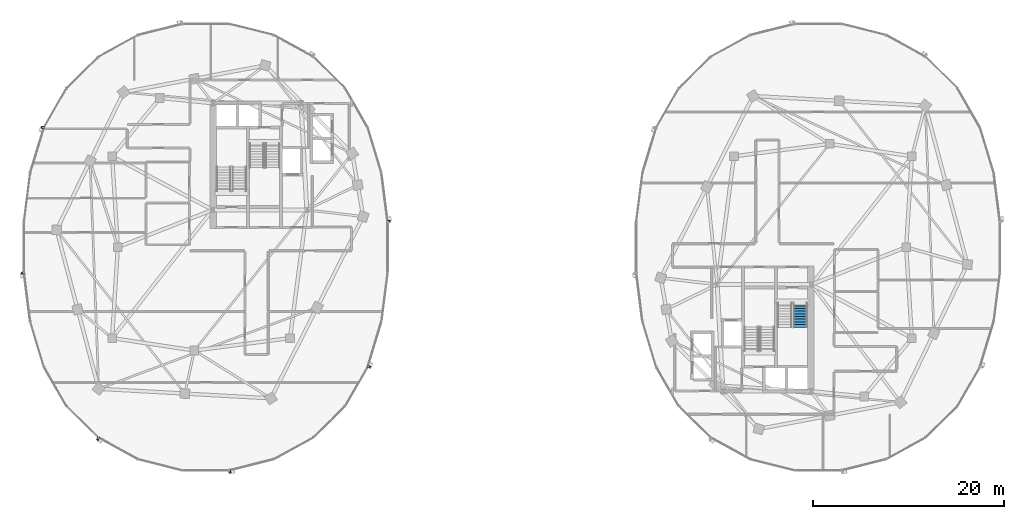
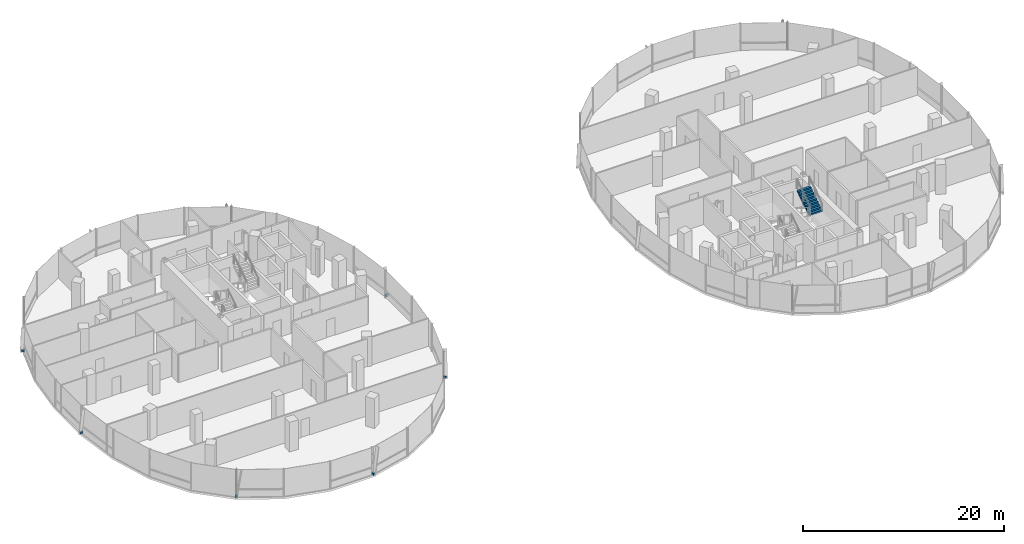
# One storey, part 16 of 23: 6 discrete accessories, 1 stair flight, 1 element without a shape of its own.
"""IFC4 building model written with IfcOpenShell, lengths in metres."""

from ifc_helpers import new_model, si_unit, direction, frame, origin, origin_2d, place, context, subcontext, project, spatial, polyline, rectangle, outline, extrude, material, type_object, element, aggregate, save


model = new_model("IFC4")

# Units and contexts
model_context = context("Model", 3, precision=1e-05, world=origin(), true_north=direction((0.0, 1.0)))
body_context = subcontext(model_context, "Body", "Model", "MODEL_VIEW")
ifc_project = project(units=[si_unit("LENGTHUNIT", "METRE"), si_unit("AREAUNIT", "SQUARE_METRE"), si_unit("VOLUMEUNIT", "CUBIC_METRE"), si_unit("PLANEANGLEUNIT", "RADIAN"), si_unit("MASSUNIT", "GRAM", prefix="KILO"), si_unit("THERMODYNAMICTEMPERATUREUNIT", "KELVIN"), si_unit("POWERUNIT", "WATT")], contexts=[model_context])

# Site, building, storey
site_placement = place(None, origin())
site = spatial("IfcSite", under=ifc_project, at=site_placement, CompositionType="ELEMENT")
building_placement = place(site_placement, origin())
building = spatial("IfcBuilding", under=site, at=building_placement, Name="Cundina Bronze Exchange", CompositionType="ELEMENT")
storey_placement = place(building_placement, frame((0.0, 0.0, 172.800048828125)))
storey = spatial("IfcBuildingStorey", under=building, at=storey_placement, Name="L45", CompositionType="ELEMENT", Elevation=172.800048828125)

# Stair, stair flight
ifc_material_1 = material(Name="Concrete C40/50", Category="concrete")
stair_type = type_object("IfcStairType", Name="STR-OFF-360", PredefinedType="HALF_TURN_STAIR", material=ifc_material_1)
stair_placement = place(storey_placement, origin())
stair = element("IfcStair", 1, at=stair_placement, inside=storey, type_object=stair_type, Name="L45 Smokeproof Exit Stair E1", PredefinedType="HALF_TURN_STAIR")
stair_flight_type = type_object("IfcStairFlightType", Name="FLG-OFF-180", PredefinedType="STRAIGHT", material=ifc_material_1)
stair_flight_placement = place(storey_placement, frame((30.14990234375, -8.3701171875, 1.800048828125), z_axis=(0.0, 0.0, 1.0), x_axis=(0.0, 1.0, 0.0)))
stair_flight = element("IfcStairFlight", 2, at=stair_flight_placement, type_object=stair_flight_type, Name="ST-E1 flight 2", NumberOfRisers=10, NumberOfTreads=9, PredefinedType="STRAIGHT", RiserHeight=0.18, TreadLength=0.28, context=body_context, shape_type="SweptSolid", body=[
    extrude(outline(polyline([(0.0, 0.0), (0.0, 0.179931640625), (0.280029296875, 0.179931640625), (0.280029296875, 0.360107421875), (0.56005859375, 0.360107421875), (0.56005859375, 0.5400390625), (0.840087890625, 0.5400390625), (0.840087890625, 0.719970703125), (1.1201171875, 0.719970703125), (1.1201171875, 0.89990234375), (1.39990234375, 0.89990234375), (1.39990234375, 1.080078125), (1.679931640625, 1.080078125), (1.679931640625, 1.260009765625), (1.9599609375, 1.260009765625), (1.9599609375, 1.43994140625), (2.239990234375, 1.43994140625), (2.239990234375, 1.6201171875), (2.52001953125, 1.6201171875), (2.52001953125, 1.800048828125), (2.52001953125, 1.44189453125), (0.277099609375, 0.0), (0.0, 0.0)])), frame((0.0, 0.75, 0.0), z_axis=(0.0, -1.0, 0.0), x_axis=(1.0, 0.0, 0.0)), (0.0, 0.0, 1.0), 1.5),
])
aggregate(stair, [stair_flight])

# Discrete accessories
ifc_material_2 = material(Name="Anodised Bronze Aluminium 6063-T6", Category="aluminium")
discrete_accessory_type = type_object("IfcDiscreteAccessoryType", Name="ACC-BRK-FIN", PredefinedType="BRACKET", material=ifc_material_2)
for number, where, z_axis, x_axis, name in (
    (3, (-12.874267578125, 2.69189453125, 0.10009765625), (0.0, 0.0, 1.0), (-0.126475984253, 0.9919696696, 0.0), "L45 Fin Support Bracket 1"),
    (4, (-49.0458984375, 12.511962890625, 0.10009765625), (0.0, 0.0, 1.0), (-0.290050843957, -0.957011237092, 0.0), "L45 Fin Support Bracket 5"),
    (5, (-51.125732421875, -2.69189453125, 0.10009765625), (0.0, 0.0, 1.0), (0.126475984253, -0.9919696696, 0.0), "L45 Fin Support Bracket 1"),
    (6, (-43.266845703125, -20.015380859375, 0.10009765625), (0.0, 0.0, 1.0), (0.875869093438, -0.482548786301, 0.0), "L45 Fin Support Bracket 5"),
    (7, (-29.507080078125, -23.44970703125, 0.10009765625), (0.0, 0.0, 1.0), (0.970092713791, 0.242734683656, 0.0), "L45 Fin Support Bracket 1"),
    (8, (-14.9541015625, -12.511962890625, 0.10009765625), (0.0, 0.0, 1.0), (0.290050843957, 0.957011237092, 0.0), "L45 Fin Support Bracket 5"),
):
    element("IfcDiscreteAccessory", number, at=place(storey_placement, frame(where, z_axis=z_axis, x_axis=x_axis)), inside=storey, type_object=discrete_accessory_type, Name=name, PredefinedType="BRACKET", context=body_context, shape_type="SweptSolid", body=[
        extrude(rectangle(XDim=0.219970703125, YDim=0.320068359375, at=origin_2d()), origin(), (0.0, 0.0, 1.0), 0.239990234375),
    ])

save(model, "model.ifc")
